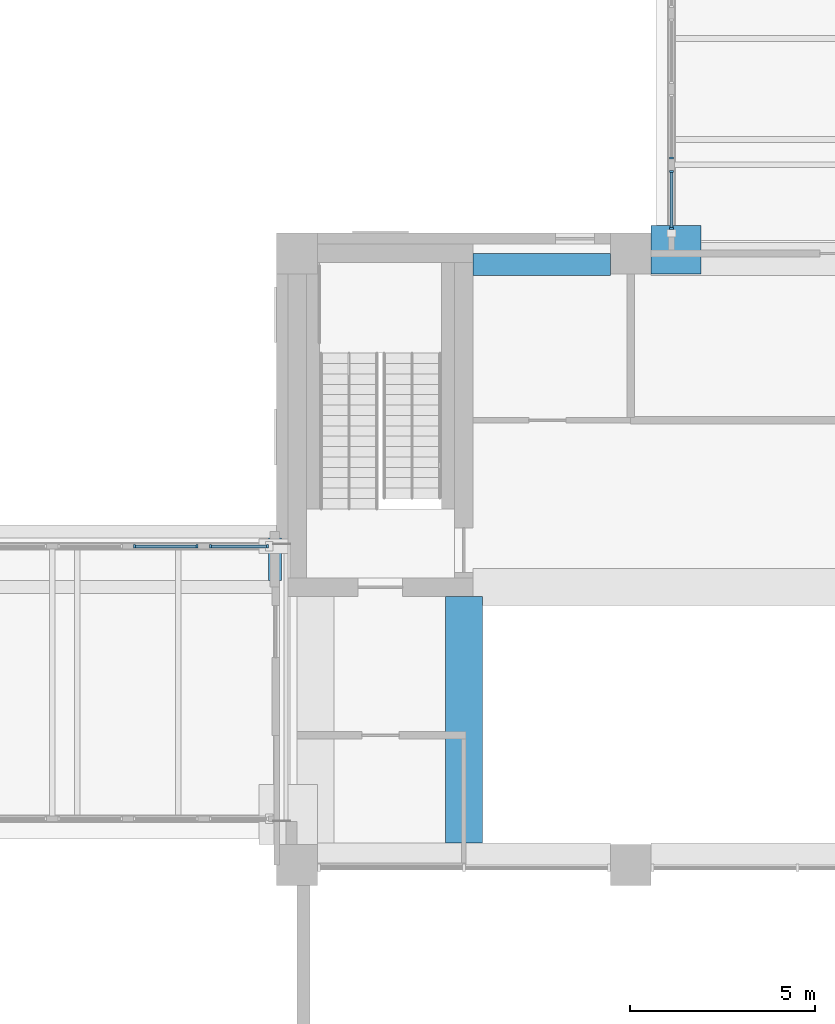
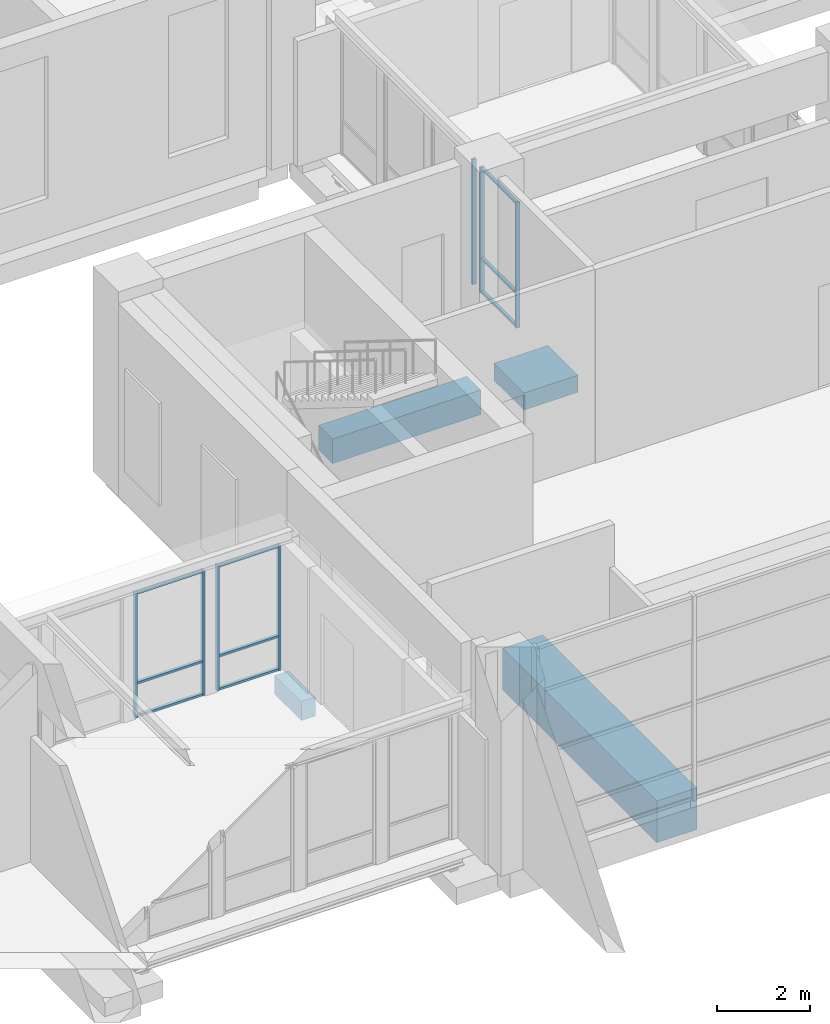
# One storey, part 6 of 52: 17 members, 3 beams, 4 elements without a shape of their own.
"""IFC4 building model written with IfcOpenShell, lengths in metres."""

from ifc_helpers import new_model, si_unit, direction, frame, origin, origin_2d, place, context, subcontext, project, spatial, rectangle, extrude, material, layer, layer_set, material_profile, profile_set, type_object, element, aggregate, save


model = new_model("IFC4")

# Units and contexts
model_context = context("Model", 3, precision=1e-05, world=origin(), true_north=direction((0.0, 1.0)))
body_context = subcontext(model_context, "Body", "Model", "MODEL_VIEW")
ifc_project = project(units=[si_unit("LENGTHUNIT", "METRE"), si_unit("AREAUNIT", "SQUARE_METRE"), si_unit("VOLUMEUNIT", "CUBIC_METRE"), si_unit("PLANEANGLEUNIT", "RADIAN"), si_unit("MASSUNIT", "GRAM", prefix="KILO")], contexts=[model_context])

# Site, building, storey
site_placement = place(None, origin())
site = spatial("IfcSite", under=ifc_project, at=site_placement, CompositionType="ELEMENT")
building_placement = place(site_placement, origin())
building = spatial("IfcBuilding", under=site, at=building_placement, Name="Aurelan Courthouse", CompositionType="ELEMENT")
storey_placement = place(building_placement, frame((0.0, 0.0, 6.60009765625)))
storey = spatial("IfcBuildingStorey", under=building, at=storey_placement, Name="L01", CompositionType="ELEMENT", Elevation=6.60009765625)

# Member
ifc_material_1 = material(Name="Concrete C50", Category="concrete")
member_type_1 = type_object("IfcMemberType", Name="Corbel 1300 x 1350 x 450", PredefinedType="USERDEFINED", material=ifc_material_1)
member_1_placement = place(storey_placement, frame((46.22509765625, 28.60009765625, -1.25), z_axis=(0.0, 0.0, 1.0), x_axis=(1.0, 0.0, 0.0)))
element("IfcMember", 1, at=member_1_placement, inside=storey, type_object=member_type_1, Name="Corbel CO-9", ObjectType="CORBEL", PredefinedType="USERDEFINED", context=body_context, shape_type="SweptSolid", body=[
    extrude(rectangle(XDim=1.35009765625, YDim=1.300048828125, at=origin_2d()), origin(), (0.0, 0.0, 1.0), 0.449951171875),
])

# Curtain wall, members
ifc_material_2 = material(Name="Bronze-finished aluminium and glass", Category="aluminium")
ifc_layer_1 = layer(ifc_material_2, 0.1201171875)
ifc_layer_set_1 = layer_set([ifc_layer_1], Name="Bronze-finished aluminium and glass")
curtain_wall_type_1 = type_object("IfcCurtainWallType", Name="Passage glazing 1744 x 3300", PredefinedType="NOTDEFINED", material=ifc_layer_set_1)
curtain_wall_1_placement = place(storey_placement, origin())
curtain_wall_1 = element("IfcCurtainWall", 2, at=curtain_wall_1_placement, inside=storey, type_object=curtain_wall_type_1, Name="Curtain wall CW-L01-BR107", PredefinedType="NOTDEFINED")
ifc_material_3 = material(Name="Bronze-finished aluminium", Category="aluminium")
ifc_material_profile_1 = material_profile(ifc_material_3, rectangle(XDim=0.10009765625, YDim=0.054931640625, at=origin_2d()), Name="Passage glazing mullion 55 x 100")
ifc_profile_set_1 = profile_set([ifc_material_profile_1], Name="Bronze-finished aluminium")
member_type_2 = type_object("IfcMemberType", Name="Passage glazing mullion 55 x 100", PredefinedType="MULLION", material=ifc_profile_set_1)
member_2_placement = place(storey_placement, frame((31.614990234375, 20.60009765625, 0.0), z_axis=(0.0, 0.0, 1.0), x_axis=(0.0, 1.0, 0.0)))
member_2 = element("IfcMember", 3, at=member_2_placement, type_object=member_type_2, Name="CW-L01-BR107 mullion 1", PredefinedType="MULLION", context=body_context, shape_type="SweptSolid", body=[
    extrude(rectangle(XDim=0.10009765625, YDim=0.054931640625, at=origin_2d()), origin(), (0.0, 0.0, 1.0), 3.2998046875),
])
member_3_placement = place(storey_placement, frame((33.3037109375, 20.60009765625, 0.0), z_axis=(0.0, 0.0, 1.0), x_axis=(0.0, 1.0, 0.0)))
member_3 = element("IfcMember", 4, at=member_3_placement, type_object=member_type_2, Name="CW-L01-BR107 mullion 2", PredefinedType="MULLION", context=body_context, shape_type="SweptSolid", body=[
    extrude(rectangle(XDim=0.10009765625, YDim=0.054931640625, at=origin_2d()), origin(), (0.0, 0.0, 1.0), 3.2998046875),
])

ifc_layer_2 = layer(ifc_material_2, 0.1201171875)
ifc_layer_set_2 = layer_set([ifc_layer_2], Name="Bronze-finished aluminium and glass")
curtain_wall_type_2 = type_object("IfcCurtainWallType", Name="Passage glazing 1594 x 3300", PredefinedType="NOTDEFINED", material=ifc_layer_set_2)
curtain_wall_2_placement = place(storey_placement, origin())
curtain_wall_2 = element("IfcCurtainWall", 5, at=curtain_wall_2_placement, inside=storey, type_object=curtain_wall_type_2, Name="Curtain wall CW-L01-BR108", PredefinedType="NOTDEFINED")
member_4_placement = place(storey_placement, frame((33.65869140625, 20.60009765625, 0.0), z_axis=(0.0, 0.0, 1.0), x_axis=(0.0, 1.0, 0.0)))
member_4 = element("IfcMember", 6, at=member_4_placement, type_object=member_type_2, Name="CW-L01-BR108 mullion 1", PredefinedType="MULLION", context=body_context, shape_type="SweptSolid", body=[
    extrude(rectangle(XDim=0.10009765625, YDim=0.054931640625, at=origin_2d()), origin(), (0.0, 0.0, 1.0), 3.2998046875),
])
member_5_placement = place(storey_placement, frame((35.197509765625, 20.60009765625, 0.0), z_axis=(0.0, 0.0, 1.0), x_axis=(0.0, 1.0, 0.0)))
member_5 = element("IfcMember", 7, at=member_5_placement, type_object=member_type_2, Name="CW-L01-BR108 mullion 2", PredefinedType="MULLION", context=body_context, shape_type="SweptSolid", body=[
    extrude(rectangle(XDim=0.10009765625, YDim=0.054931640625, at=origin_2d()), origin(), (0.0, 0.0, 1.0), 3.2998046875),
])

curtain_wall_3_placement = place(storey_placement, origin())
curtain_wall_3 = element("IfcCurtainWall", 8, at=curtain_wall_3_placement, inside=storey, type_object=curtain_wall_type_2, Name="Curtain wall CW-L01-BR301", PredefinedType="NOTDEFINED")
member_6_placement = place(storey_placement, frame((46.10009765625, 29.177490234375, 0.0), z_axis=(0.0, 0.0, 1.0), x_axis=(-1.0, 0.0, 0.0)))
member_6 = element("IfcMember", 9, at=member_6_placement, type_object=member_type_2, Name="CW-L01-BR301 mullion 1", PredefinedType="MULLION", context=body_context, shape_type="SweptSolid", body=[
    extrude(rectangle(XDim=0.10009765625, YDim=0.054931640625, at=origin_2d()), origin(), (0.0, 0.0, 1.0), 3.2998046875),
])
member_7_placement = place(storey_placement, frame((46.10009765625, 30.71630859375, 0.0), z_axis=(0.0, 0.0, 1.0), x_axis=(-1.0, 0.0, 0.0)))
member_7 = element("IfcMember", 10, at=member_7_placement, type_object=member_type_2, Name="CW-L01-BR301 mullion 2", PredefinedType="MULLION", context=body_context, shape_type="SweptSolid", body=[
    extrude(rectangle(XDim=0.10009765625, YDim=0.054931640625, at=origin_2d()), origin(), (0.0, 0.0, 1.0), 3.2998046875),
])

# Curtain wall, member
curtain_wall_4_placement = place(storey_placement, origin())
curtain_wall_4 = element("IfcCurtainWall", 11, at=curtain_wall_4_placement, inside=storey, type_object=curtain_wall_type_1, Name="Curtain wall CW-L01-BR302", PredefinedType="NOTDEFINED")
member_8_placement = place(storey_placement, frame((46.10009765625, 31.0712890625, 0.0), z_axis=(0.0, 0.0, 1.0), x_axis=(-1.0, 0.0, 0.0)))
member_8 = element("IfcMember", 12, at=member_8_placement, type_object=member_type_2, Name="CW-L01-BR302 mullion 1", PredefinedType="MULLION", context=body_context, shape_type="SweptSolid", body=[
    extrude(rectangle(XDim=0.10009765625, YDim=0.054931640625, at=origin_2d()), origin(), (0.0, 0.0, 1.0), 3.2998046875),
])
aggregate(curtain_wall_4, [member_8])

# Member
ifc_material_profile_2 = material_profile(ifc_material_3, rectangle(XDim=0.080078125, YDim=0.054931640625, at=origin_2d()), Name="Passage glazing transom 55 x 80")
ifc_profile_set_2 = profile_set([ifc_material_profile_2], Name="Bronze-finished aluminium")
member_type_3 = type_object("IfcMemberType", Name="Passage glazing transom 55 x 80", PredefinedType="USERDEFINED", material=ifc_profile_set_2)
member_9_placement = place(storey_placement, frame((31.642578125, 20.60009765625, 0.02734375), z_axis=(1.0, 0.0, 0.0), x_axis=(0.0, 1.0, 0.0)))
member_9 = element("IfcMember", 13, at=member_9_placement, type_object=member_type_3, Name="CW-L01-BR107 transom 1.1", ObjectType="TRANSOM", PredefinedType="USERDEFINED", context=body_context, shape_type="SweptSolid", body=[
    extrude(rectangle(XDim=0.080078125, YDim=0.054931640625, at=origin_2d()), origin(), (0.0, 0.0, 1.0), 1.6337890625),
])

member_10_placement = place(storey_placement, frame((31.642578125, 20.60009765625, 0.89990234375), z_axis=(1.0, 0.0, 0.0), x_axis=(0.0, 1.0, 0.0)))
member_10 = element("IfcMember", 14, at=member_10_placement, type_object=member_type_3, Name="CW-L01-BR107 transom 1.2", ObjectType="TRANSOM", PredefinedType="USERDEFINED", context=body_context, shape_type="SweptSolid", body=[
    extrude(rectangle(XDim=0.080078125, YDim=0.054931640625, at=origin_2d()), origin(), (0.0, 0.0, 1.0), 1.6337890625),
])

member_11_placement = place(storey_placement, frame((31.642578125, 20.60009765625, 3.2724609375), z_axis=(1.0, 0.0, 0.0), x_axis=(0.0, 1.0, 0.0)))
member_11 = element("IfcMember", 15, at=member_11_placement, type_object=member_type_3, Name="CW-L01-BR107 transom 1.3", ObjectType="TRANSOM", PredefinedType="USERDEFINED", context=body_context, shape_type="SweptSolid", body=[
    extrude(rectangle(XDim=0.080078125, YDim=0.054931640625, at=origin_2d()), origin(), (0.0, 0.0, 1.0), 1.6337890625),
])

aggregate(curtain_wall_1, [member_2, member_3, member_9, member_10, member_11])

member_12_placement = place(storey_placement, frame((33.686279296875, 20.60009765625, 0.02734375), z_axis=(1.0, 0.0, 0.0), x_axis=(0.0, 1.0, 0.0)))
member_12 = element("IfcMember", 16, at=member_12_placement, type_object=member_type_3, Name="CW-L01-BR108 transom 1.1", ObjectType="TRANSOM", PredefinedType="USERDEFINED", context=body_context, shape_type="SweptSolid", body=[
    extrude(rectangle(XDim=0.080078125, YDim=0.054931640625, at=origin_2d()), origin(), (0.0, 0.0, 1.0), 1.483642578125),
])

member_13_placement = place(storey_placement, frame((33.686279296875, 20.60009765625, 0.89990234375), z_axis=(1.0, 0.0, 0.0), x_axis=(0.0, 1.0, 0.0)))
member_13 = element("IfcMember", 17, at=member_13_placement, type_object=member_type_3, Name="CW-L01-BR108 transom 1.2", ObjectType="TRANSOM", PredefinedType="USERDEFINED", context=body_context, shape_type="SweptSolid", body=[
    extrude(rectangle(XDim=0.080078125, YDim=0.054931640625, at=origin_2d()), origin(), (0.0, 0.0, 1.0), 1.483642578125),
])

member_14_placement = place(storey_placement, frame((33.686279296875, 20.60009765625, 3.2724609375), z_axis=(1.0, 0.0, 0.0), x_axis=(0.0, 1.0, 0.0)))
member_14 = element("IfcMember", 18, at=member_14_placement, type_object=member_type_3, Name="CW-L01-BR108 transom 1.3", ObjectType="TRANSOM", PredefinedType="USERDEFINED", context=body_context, shape_type="SweptSolid", body=[
    extrude(rectangle(XDim=0.080078125, YDim=0.054931640625, at=origin_2d()), origin(), (0.0, 0.0, 1.0), 1.483642578125),
])

aggregate(curtain_wall_2, [member_4, member_5, member_12, member_13, member_14])

member_15_placement = place(storey_placement, frame((46.10009765625, 29.205078125, 0.02734375), z_axis=(0.0, 1.0, 0.0), x_axis=(-1.0, 0.0, 0.0)))
member_15 = element("IfcMember", 19, at=member_15_placement, type_object=member_type_3, Name="CW-L01-BR301 transom 1.1", ObjectType="TRANSOM", PredefinedType="USERDEFINED", context=body_context, shape_type="SweptSolid", body=[
    extrude(rectangle(XDim=0.080078125, YDim=0.054931640625, at=origin_2d()), origin(), (0.0, 0.0, 1.0), 1.483642578125),
])

member_16_placement = place(storey_placement, frame((46.10009765625, 29.205078125, 0.89990234375), z_axis=(0.0, 1.0, 0.0), x_axis=(-1.0, 0.0, 0.0)))
member_16 = element("IfcMember", 20, at=member_16_placement, type_object=member_type_3, Name="CW-L01-BR301 transom 1.2", ObjectType="TRANSOM", PredefinedType="USERDEFINED", context=body_context, shape_type="SweptSolid", body=[
    extrude(rectangle(XDim=0.080078125, YDim=0.054931640625, at=origin_2d()), origin(), (0.0, 0.0, 1.0), 1.483642578125),
])

member_17_placement = place(storey_placement, frame((46.10009765625, 29.205078125, 3.2724609375), z_axis=(0.0, 1.0, 0.0), x_axis=(-1.0, 0.0, 0.0)))
member_17 = element("IfcMember", 21, at=member_17_placement, type_object=member_type_3, Name="CW-L01-BR301 transom 1.3", ObjectType="TRANSOM", PredefinedType="USERDEFINED", context=body_context, shape_type="SweptSolid", body=[
    extrude(rectangle(XDim=0.080078125, YDim=0.054931640625, at=origin_2d()), origin(), (0.0, 0.0, 1.0), 1.483642578125),
])

aggregate(curtain_wall_3, [member_6, member_7, member_15, member_16, member_17])

# Beams
ifc_material_profile_3 = material_profile(ifc_material_1, rectangle(XDim=0.60009765625, YDim=0.64990234375, at=origin_2d()), Name="RC 600 x 650")
ifc_profile_set_3 = profile_set([ifc_material_profile_3], Name="Concrete C50")
beam_type_1 = type_object("IfcBeamType", Name="RC spandrel beam 600 x 650", PredefinedType="SPANDREL", material=ifc_profile_set_3)
beam_1_placement = place(storey_placement, frame((40.75, 28.199951171875, -0.625), z_axis=(1.0, 0.0, 0.0), x_axis=(0.0, 1.0, 0.0)))
element("IfcBeam", 22, at=beam_1_placement, inside=storey, type_object=beam_type_1, Name="Spandrel beam SB-C-5-6", PredefinedType="SPANDREL", context=body_context, shape_type="SweptSolid", body=[
    extrude(rectangle(XDim=0.60009765625, YDim=0.64990234375, at=origin_2d()), origin(), (0.0, 0.0, 1.0), 3.699951171875),
])
ifc_material_4 = material(Name="Concrete C40", Category="concrete")
ifc_material_profile_4 = material_profile(ifc_material_4, rectangle(XDim=1.0, YDim=1.10009765625, at=origin_2d()), Name="RC 1000 x 1100")
ifc_profile_set_4 = profile_set([ifc_material_profile_4], Name="Concrete C40")
beam_type_2 = type_object("IfcBeamType", Name="RC trimmer beam 1000 x 1100", PredefinedType="JOIST", material=ifc_profile_set_4)
beam_2_placement = place(storey_placement, frame((40.5, 12.60009765625, -0.85009765625), z_axis=(0.0, 1.0, 0.0), x_axis=(-1.0, 0.0, 0.0)))
element("IfcBeam", 23, at=beam_2_placement, inside=storey, type_object=beam_type_2, Name="Trimmer beam TB-L01-001", PredefinedType="JOIST", context=body_context, shape_type="SweptSolid", body=[
    extrude(rectangle(XDim=1.0, YDim=1.10009765625, at=origin_2d()), origin(), (0.0, 0.0, 1.0), 6.64990234375),
])
ifc_material_profile_5 = material_profile(ifc_material_4, rectangle(XDim=0.35009765625, YDim=0.5, at=origin_2d()), Name="RC 350 x 500")
ifc_profile_set_5 = profile_set([ifc_material_profile_5], Name="Concrete C40")
beam_type_3 = type_object("IfcBeamType", Name="RC wall beam 350 x 500", PredefinedType="BEAM", material=ifc_profile_set_5)
beam_3_placement = place(storey_placement, frame((35.39990234375, 19.675048828125, -0.550048828125), z_axis=(0.0, 1.0, 0.0), x_axis=(-1.0, 0.0, 0.0)))
element("IfcBeam", 24, at=beam_3_placement, inside=storey, type_object=beam_type_3, Name="Wall beam WB-L01-003", PredefinedType="BEAM", context=body_context, shape_type="SweptSolid", body=[
    extrude(rectangle(XDim=0.35009765625, YDim=0.5, at=origin_2d()), origin(), (0.0, 0.0, 1.0), 1.14990234375),
])

save(model, "model.ifc")
